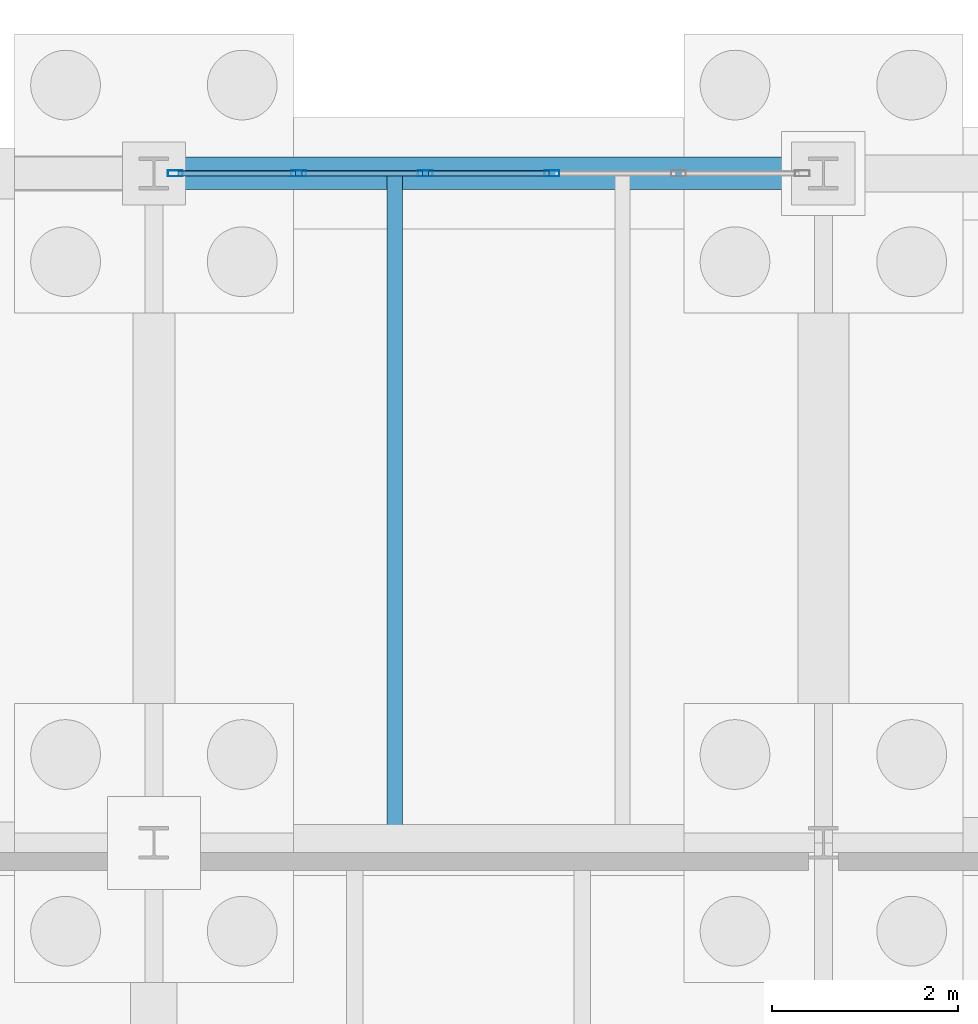
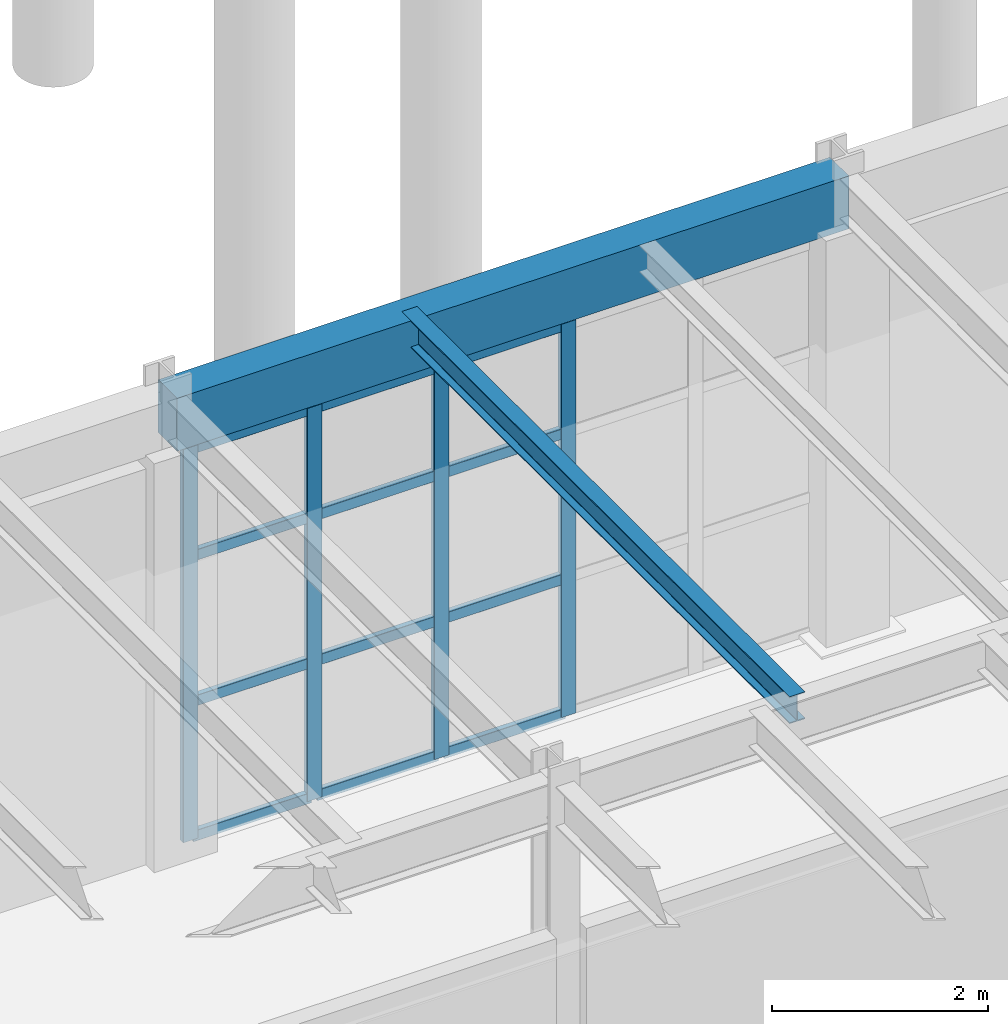
# One storey, part 92 of 293: 16 members, 2 beams, 1 element without a shape of its own.
"""IFC4 building model written with IfcOpenShell, lengths in metres."""

from ifc_helpers import new_model, si_unit, direction, frame, origin, origin_2d, place, context, subcontext, project, spatial, rectangle, hollow_rectangle, i_section, extrude, material, layer, layer_set, material_profile, profile_set, type_object, element, aggregate, save


model = new_model("IFC4")

# Units and contexts
model_context = context("Model", 3, precision=1e-05, world=origin(), true_north=direction((0.0, 1.0)))
body_context = subcontext(model_context, "Body", "Model", "MODEL_VIEW")
ifc_project = project(units=[si_unit("LENGTHUNIT", "METRE"), si_unit("AREAUNIT", "SQUARE_METRE"), si_unit("VOLUMEUNIT", "CUBIC_METRE"), si_unit("PLANEANGLEUNIT", "RADIAN"), si_unit("MASSUNIT", "GRAM", prefix="KILO")], contexts=[model_context])

# Site, building, storey
site_placement = place(None, origin())
site = spatial("IfcSite", under=ifc_project, at=site_placement, CompositionType="ELEMENT")
building_placement = place(site_placement, origin())
building = spatial("IfcBuilding", under=site, at=building_placement, Name="Kemerveld Promenade Tramway Depot", CompositionType="ELEMENT")
storey_placement = place(building_placement, origin())
storey = spatial("IfcBuildingStorey", under=building, at=storey_placement, Name="L00", CompositionType="ELEMENT", Elevation=0.0)

# Beams
ifc_material_1 = material(Name="Steel S355", Category="steel")
ifc_material_profile_1 = material_profile(ifc_material_1, i_section(OverallWidth=0.165771484375, OverallDepth=0.306640625, WebThickness=0.006591796875, FlangeThickness=0.01171875, FilletRadius=0.0087890625, at=origin_2d()), Name="305x165x46 UB")
ifc_profile_set_1 = profile_set([ifc_material_profile_1], Name="Steel S355")
beam_type_1 = type_object("IfcBeamType", Name="BM-J01", PredefinedType="JOIST", material=ifc_profile_set_1)
beam_1_placement = place(storey_placement, frame((124.991943359375, 21.60009765625, 5.021728515625), z_axis=(0.0, 1.0, 0.0), x_axis=(-1.0, 0.0, 0.0)))
element("IfcBeam", 1, at=beam_1_placement, inside=storey, type_object=beam_type_1, Name="JST-L00-18-D-1", PredefinedType="JOIST", context=body_context, shape_type="SweptSolid", body=[
    extrude(i_section(OverallWidth=0.165771484375, OverallDepth=0.306640625, WebThickness=0.006591796875, FlangeThickness=0.01171875, FilletRadius=0.0087890625, at=origin_2d()), origin(), (0.0, 0.0, 1.0), 7.199951171875),
])
ifc_material_2 = material(Name="Concrete C40/50", Category="concrete")
ifc_material_profile_2 = material_profile(ifc_material_2, rectangle(XDim=0.35009765625, YDim=0.60009765625, at=origin_2d()), Name="RC-BM-350x600")
ifc_profile_set_2 = profile_set([ifc_material_profile_2], Name="Concrete C40/50")
beam_type_2 = type_object("IfcBeamType", Name="BM-RC4", PredefinedType="BEAM", material=ifc_profile_set_2)
beam_2_placement = place(storey_placement, frame((122.39990234375, 28.800048828125, 4.875), z_axis=(1.0, 0.0, 0.0), x_axis=(0.0, 1.0, 0.0)))
element("IfcBeam", 2, at=beam_2_placement, inside=storey, type_object=beam_type_2, Name="BMX-L00-18-19-E", PredefinedType="BEAM", context=body_context, shape_type="SweptSolid", body=[
    extrude(rectangle(XDim=0.35009765625, YDim=0.60009765625, at=origin_2d()), origin(), (0.0, 0.0, 1.0), 7.2001953125),
])

# Curtain wall, members
ifc_material_3 = material(Name="Bronze anodised aluminium and solar glass", Category="aluminium")
ifc_layer = layer(ifc_material_3, 0.159912109375)
ifc_layer_set = layer_set([ifc_layer], Name="CW-SYS-13")
curtain_wall_type = type_object("IfcCurtainWallType", Name="CW-SYS-13", PredefinedType="USERDEFINED", material=ifc_layer_set)
curtain_wall_placement = place(storey_placement, origin())
curtain_wall = element("IfcCurtainWall", 3, at=curtain_wall_placement, inside=storey, type_object=curtain_wall_type, Name="CW-L00-V4N-10", ObjectType="GLAZED_CURTAIN_WALL", PredefinedType="USERDEFINED")
ifc_material_4 = material(Name="Bronze anodised aluminium", Category="aluminium")
ifc_material_profile_3 = material_profile(ifc_material_4, hollow_rectangle(XDim=0.06494140625, YDim=0.159912109375, WallThickness=0.00390625, InnerFilletRadius=0.001953125, OuterFilletRadius=0.00390625, at=origin_2d()), Name="CW-MUL-160x65")
ifc_profile_set_3 = profile_set([ifc_material_profile_3], Name="Bronze anodised aluminium")
member_type_1 = type_object("IfcMemberType", Name="CW-MUL-A", PredefinedType="MULLION", material=ifc_profile_set_3)
member_1_placement = place(storey_placement, frame((122.62890625, 28.800048828125, 0.0), z_axis=(0.0, 0.0, 1.0), x_axis=(0.0, 1.0, 0.0)))
member_1 = element("IfcMember", 4, at=member_1_placement, type_object=member_type_1, Name="CW13 mullion 1", PredefinedType="MULLION", context=body_context, shape_type="SweptSolid", body=[
    extrude(hollow_rectangle(XDim=0.06494140625, YDim=0.159912109375, WallThickness=0.00390625, InnerFilletRadius=0.001953125, OuterFilletRadius=0.00390625, at=origin_2d()), origin(), (0.0, 0.0, 1.0), 4.455078125),
])
member_2_placement = place(storey_placement, frame((123.957763671875, 28.800048828125, 0.0), z_axis=(0.0, 0.0, 1.0), x_axis=(0.0, 1.0, 0.0)))
member_2 = element("IfcMember", 5, at=member_2_placement, type_object=member_type_1, Name="CW13 mullion 2", PredefinedType="MULLION", context=body_context, shape_type="SweptSolid", body=[
    extrude(hollow_rectangle(XDim=0.06494140625, YDim=0.159912109375, WallThickness=0.00390625, InnerFilletRadius=0.001953125, OuterFilletRadius=0.00390625, at=origin_2d()), origin(), (0.0, 0.0, 1.0), 4.455078125),
])
member_3_placement = place(storey_placement, frame((125.3193359375, 28.800048828125, 0.0), z_axis=(0.0, 0.0, 1.0), x_axis=(0.0, 1.0, 0.0)))
member_3 = element("IfcMember", 6, at=member_3_placement, type_object=member_type_1, Name="CW13 mullion 3", PredefinedType="MULLION", context=body_context, shape_type="SweptSolid", body=[
    extrude(hollow_rectangle(XDim=0.06494140625, YDim=0.159912109375, WallThickness=0.00390625, InnerFilletRadius=0.001953125, OuterFilletRadius=0.00390625, at=origin_2d()), origin(), (0.0, 0.0, 1.0), 4.455078125),
])
member_4_placement = place(storey_placement, frame((126.680908203125, 28.800048828125, 0.0), z_axis=(0.0, 0.0, 1.0), x_axis=(0.0, 1.0, 0.0)))
member_4 = element("IfcMember", 7, at=member_4_placement, type_object=member_type_1, Name="CW13 mullion 4", PredefinedType="MULLION", context=body_context, shape_type="SweptSolid", body=[
    extrude(hollow_rectangle(XDim=0.06494140625, YDim=0.159912109375, WallThickness=0.00390625, InnerFilletRadius=0.001953125, OuterFilletRadius=0.00390625, at=origin_2d()), origin(), (0.0, 0.0, 1.0), 4.455078125),
])
ifc_material_profile_4 = material_profile(ifc_material_4, hollow_rectangle(XDim=0.06005859375, YDim=0.1201171875, WallThickness=0.00390625, InnerFilletRadius=0.001953125, OuterFilletRadius=0.00390625, at=origin_2d()), Name="CW-TRN-120x60")
ifc_profile_set_4 = profile_set([ifc_material_profile_4], Name="Bronze anodised aluminium")
member_type_2 = type_object("IfcMemberType", Name="CW-TRN-A", PredefinedType="USERDEFINED", material=ifc_profile_set_4)
member_5_placement = place(storey_placement, frame((122.661376953125, 28.800048828125, 0.030029296875), z_axis=(1.0, 0.0, 0.0), x_axis=(0.0, 1.0, 0.0)))
member_5 = element("IfcMember", 8, at=member_5_placement, type_object=member_type_2, Name="CW13 transom 1.1", ObjectType="TRANSOM", PredefinedType="USERDEFINED", context=body_context, shape_type="SweptSolid", body=[
    extrude(hollow_rectangle(XDim=0.06005859375, YDim=0.1201171875, WallThickness=0.00390625, InnerFilletRadius=0.001953125, OuterFilletRadius=0.00390625, at=origin_2d()), origin(), (0.0, 0.0, 1.0), 1.263916015625),
])
member_6_placement = place(storey_placement, frame((122.661376953125, 28.800048828125, 1.55908203125), z_axis=(1.0, 0.0, 0.0), x_axis=(0.0, 1.0, 0.0)))
member_6 = element("IfcMember", 9, at=member_6_placement, type_object=member_type_2, Name="CW13 transom 1.2", ObjectType="TRANSOM", PredefinedType="USERDEFINED", context=body_context, shape_type="SweptSolid", body=[
    extrude(hollow_rectangle(XDim=0.06005859375, YDim=0.1201171875, WallThickness=0.00390625, InnerFilletRadius=0.001953125, OuterFilletRadius=0.00390625, at=origin_2d()), origin(), (0.0, 0.0, 1.0), 1.263916015625),
])
member_7_placement = place(storey_placement, frame((122.661376953125, 28.800048828125, 3.2080078125), z_axis=(1.0, 0.0, 0.0), x_axis=(0.0, 1.0, 0.0)))
member_7 = element("IfcMember", 10, at=member_7_placement, type_object=member_type_2, Name="CW13 transom 1.3", ObjectType="TRANSOM", PredefinedType="USERDEFINED", context=body_context, shape_type="SweptSolid", body=[
    extrude(hollow_rectangle(XDim=0.06005859375, YDim=0.1201171875, WallThickness=0.00390625, InnerFilletRadius=0.001953125, OuterFilletRadius=0.00390625, at=origin_2d()), origin(), (0.0, 0.0, 1.0), 1.263916015625),
])
member_8_placement = place(storey_placement, frame((122.661376953125, 28.800048828125, 4.425048828125), z_axis=(1.0, 0.0, 0.0), x_axis=(0.0, 1.0, 0.0)))
member_8 = element("IfcMember", 11, at=member_8_placement, type_object=member_type_2, Name="CW13 transom 1.4", ObjectType="TRANSOM", PredefinedType="USERDEFINED", context=body_context, shape_type="SweptSolid", body=[
    extrude(hollow_rectangle(XDim=0.06005859375, YDim=0.1201171875, WallThickness=0.00390625, InnerFilletRadius=0.001953125, OuterFilletRadius=0.00390625, at=origin_2d()), origin(), (0.0, 0.0, 1.0), 1.263916015625),
])
member_9_placement = place(storey_placement, frame((123.990234375, 28.800048828125, 0.030029296875), z_axis=(1.0, 0.0, 0.0), x_axis=(0.0, 1.0, 0.0)))
member_9 = element("IfcMember", 12, at=member_9_placement, type_object=member_type_2, Name="CW13 transom 2.1", ObjectType="TRANSOM", PredefinedType="USERDEFINED", context=body_context, shape_type="SweptSolid", body=[
    extrude(hollow_rectangle(XDim=0.06005859375, YDim=0.1201171875, WallThickness=0.00390625, InnerFilletRadius=0.001953125, OuterFilletRadius=0.00390625, at=origin_2d()), origin(), (0.0, 0.0, 1.0), 1.296630859375),
])
member_10_placement = place(storey_placement, frame((123.990234375, 28.800048828125, 1.55908203125), z_axis=(1.0, 0.0, 0.0), x_axis=(0.0, 1.0, 0.0)))
member_10 = element("IfcMember", 13, at=member_10_placement, type_object=member_type_2, Name="CW13 transom 2.2", ObjectType="TRANSOM", PredefinedType="USERDEFINED", context=body_context, shape_type="SweptSolid", body=[
    extrude(hollow_rectangle(XDim=0.06005859375, YDim=0.1201171875, WallThickness=0.00390625, InnerFilletRadius=0.001953125, OuterFilletRadius=0.00390625, at=origin_2d()), origin(), (0.0, 0.0, 1.0), 1.296630859375),
])
member_11_placement = place(storey_placement, frame((123.990234375, 28.800048828125, 3.2080078125), z_axis=(1.0, 0.0, 0.0), x_axis=(0.0, 1.0, 0.0)))
member_11 = element("IfcMember", 14, at=member_11_placement, type_object=member_type_2, Name="CW13 transom 2.3", ObjectType="TRANSOM", PredefinedType="USERDEFINED", context=body_context, shape_type="SweptSolid", body=[
    extrude(hollow_rectangle(XDim=0.06005859375, YDim=0.1201171875, WallThickness=0.00390625, InnerFilletRadius=0.001953125, OuterFilletRadius=0.00390625, at=origin_2d()), origin(), (0.0, 0.0, 1.0), 1.296630859375),
])
member_12_placement = place(storey_placement, frame((123.990234375, 28.800048828125, 4.425048828125), z_axis=(1.0, 0.0, 0.0), x_axis=(0.0, 1.0, 0.0)))
member_12 = element("IfcMember", 15, at=member_12_placement, type_object=member_type_2, Name="CW13 transom 2.4", ObjectType="TRANSOM", PredefinedType="USERDEFINED", context=body_context, shape_type="SweptSolid", body=[
    extrude(hollow_rectangle(XDim=0.06005859375, YDim=0.1201171875, WallThickness=0.00390625, InnerFilletRadius=0.001953125, OuterFilletRadius=0.00390625, at=origin_2d()), origin(), (0.0, 0.0, 1.0), 1.296630859375),
])
member_13_placement = place(storey_placement, frame((125.351806640625, 28.800048828125, 0.030029296875), z_axis=(1.0, 0.0, 0.0), x_axis=(0.0, 1.0, 0.0)))
member_13 = element("IfcMember", 16, at=member_13_placement, type_object=member_type_2, Name="CW13 transom 3.1", ObjectType="TRANSOM", PredefinedType="USERDEFINED", context=body_context, shape_type="SweptSolid", body=[
    extrude(hollow_rectangle(XDim=0.06005859375, YDim=0.1201171875, WallThickness=0.00390625, InnerFilletRadius=0.001953125, OuterFilletRadius=0.00390625, at=origin_2d()), origin(), (0.0, 0.0, 1.0), 1.29638671875),
])
member_14_placement = place(storey_placement, frame((125.351806640625, 28.800048828125, 1.55908203125), z_axis=(1.0, 0.0, 0.0), x_axis=(0.0, 1.0, 0.0)))
member_14 = element("IfcMember", 17, at=member_14_placement, type_object=member_type_2, Name="CW13 transom 3.2", ObjectType="TRANSOM", PredefinedType="USERDEFINED", context=body_context, shape_type="SweptSolid", body=[
    extrude(hollow_rectangle(XDim=0.06005859375, YDim=0.1201171875, WallThickness=0.00390625, InnerFilletRadius=0.001953125, OuterFilletRadius=0.00390625, at=origin_2d()), origin(), (0.0, 0.0, 1.0), 1.29638671875),
])
member_15_placement = place(storey_placement, frame((125.351806640625, 28.800048828125, 3.2080078125), z_axis=(1.0, 0.0, 0.0), x_axis=(0.0, 1.0, 0.0)))
member_15 = element("IfcMember", 18, at=member_15_placement, type_object=member_type_2, Name="CW13 transom 3.3", ObjectType="TRANSOM", PredefinedType="USERDEFINED", context=body_context, shape_type="SweptSolid", body=[
    extrude(hollow_rectangle(XDim=0.06005859375, YDim=0.1201171875, WallThickness=0.00390625, InnerFilletRadius=0.001953125, OuterFilletRadius=0.00390625, at=origin_2d()), origin(), (0.0, 0.0, 1.0), 1.29638671875),
])
member_16_placement = place(storey_placement, frame((125.351806640625, 28.800048828125, 4.425048828125), z_axis=(1.0, 0.0, 0.0), x_axis=(0.0, 1.0, 0.0)))
member_16 = element("IfcMember", 19, at=member_16_placement, type_object=member_type_2, Name="CW13 transom 3.4", ObjectType="TRANSOM", PredefinedType="USERDEFINED", context=body_context, shape_type="SweptSolid", body=[
    extrude(hollow_rectangle(XDim=0.06005859375, YDim=0.1201171875, WallThickness=0.00390625, InnerFilletRadius=0.001953125, OuterFilletRadius=0.00390625, at=origin_2d()), origin(), (0.0, 0.0, 1.0), 1.29638671875),
])
aggregate(curtain_wall, [member_1, member_2, member_3, member_4, member_5, member_6, member_7, member_8, member_9, member_10, member_11, member_12, member_13, member_14, member_15, member_16])

save(model, "model.ifc")
